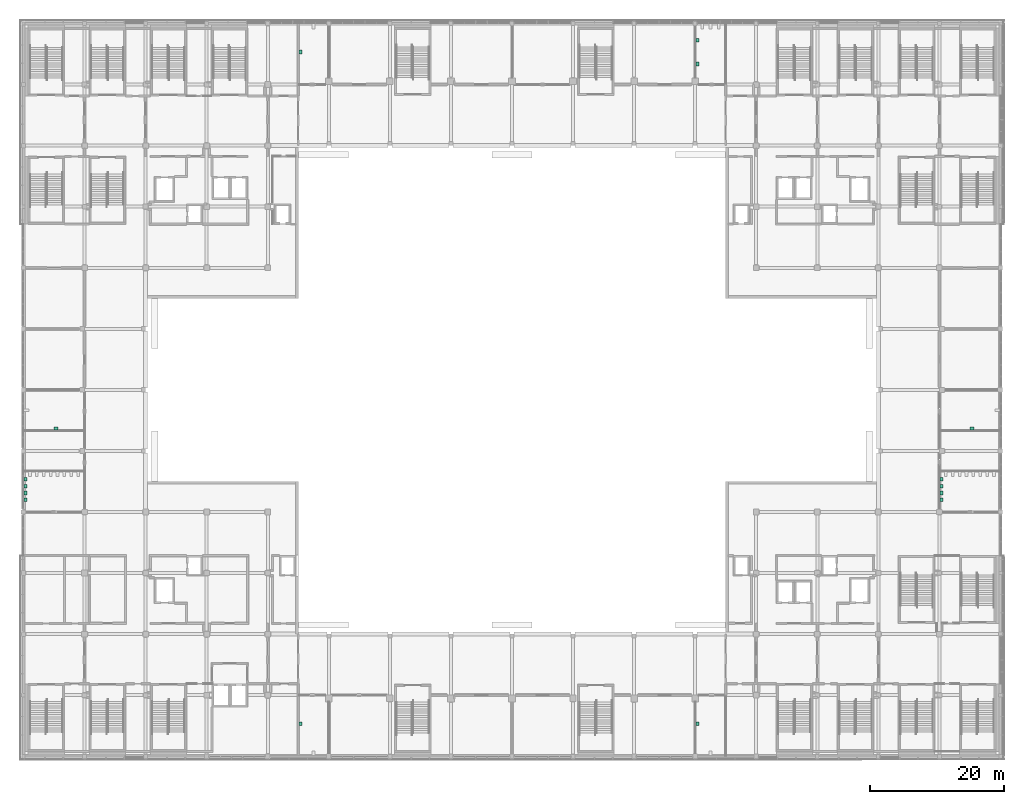
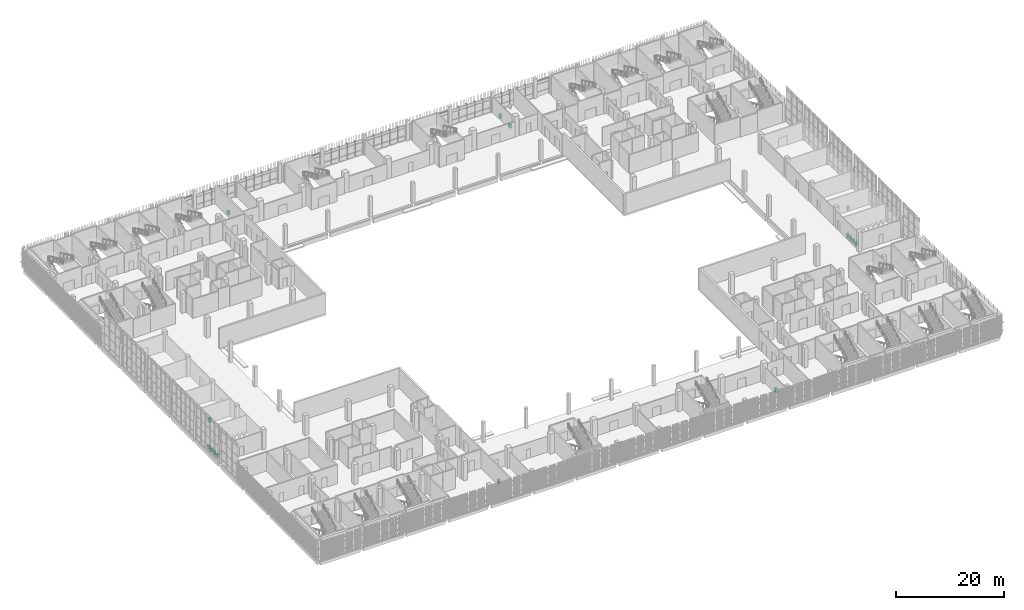
# One storey, part 125 of 126: 15 sanitary terminals.
"""IFC4 building model written with IfcOpenShell, lengths in metres."""

import ifcopenshell
import ifcopenshell.guid

model = None  # the IFC model being written
_history = None  # IfcOwnerHistory: only IFC2X3 demands one
_inside = {}  # id of a spatial element -> (the spatial element, [elements in it])
_under = {}  # id of a project, library or spatial element -> (it, [spatial elements below it])
_declared = {}  # id of a project -> (the project, [libraries it declares])
_typed = {}  # id of a type object -> (the type object, [elements of that type])
_made_of = {}  # id of a material, layer set ... -> (it, [elements and type objects made of it])


def new_model(schema):
    """Start an empty IFC model of exactly this schema.

    Asked for "IFC4X3", IfcOpenShell would pick the latest addendum, in which some entities
    have other attributes; the version numbers below select the first issue.
    IFC2X3 requires an IfcOwnerHistory on every rooted entity: one is made here for all.
    """
    global model, _history
    if schema == "IFC4X3":
        model = ifcopenshell.file(schema_version=(4, 3, 0, 0))
    else:
        model = ifcopenshell.file(schema=schema)
    _inside.clear()
    _under.clear()
    _declared.clear()
    _typed.clear()
    _made_of.clear()
    _history = None
    if model.schema == "IFC2X3":
        org = make("IfcOrganization", Name="unknown")
        user = make(
            "IfcPersonAndOrganization",
            ThePerson=make("IfcPerson", FamilyName="unknown"),
            TheOrganization=org,
        )
        app = make(
            "IfcApplication",
            ApplicationDeveloper=org,
            Version="unknown",
            ApplicationFullName="unknown",
            ApplicationIdentifier="unknown",
        )
        _history = make(
            "IfcOwnerHistory",
            OwningUser=user,
            OwningApplication=app,
            ChangeAction="ADDED",
            CreationDate=0,
        )
    return model


def make(cls, **values):
    """One entity of the class cls with the attributes given. An attribute that is None is left unset."""
    return model.create_entity(
        cls, **{name: value for name, value in values.items() if value is not None}
    )


def rooted(cls, **values):
    """An entity with a GlobalId (a new one), such as an element, a storey or a relation."""
    return make(cls, GlobalId=ifcopenshell.guid.new(), OwnerHistory=_history, **values)


def si_unit(unit_type, name, prefix=None):
    """IfcSIUnit, for example si_unit("LENGTHUNIT", "METRE", prefix="MILLI")."""
    return make("IfcSIUnit", UnitType=unit_type, Prefix=prefix, Name=name)


def assignment(units):
    """IfcUnitAssignment: the units of a project."""
    return None if units is None else make("IfcUnitAssignment", Units=units)


def point(xyz):
    """IfcCartesianPoint."""
    return None if xyz is None else make("IfcCartesianPoint", Coordinates=xyz)


def direction(xyz):
    """IfcDirection."""
    return None if xyz is None else make("IfcDirection", DirectionRatios=xyz)


def frame(location, z_axis=None, x_axis=None):
    """IfcAxis2Placement3D, a coordinate frame: its origin and axes. An axis left out is left unset."""
    return make(
        "IfcAxis2Placement3D",
        Location=point(location),
        Axis=direction(z_axis),
        RefDirection=direction(x_axis),
    )


def frame_2d(location, x_axis=None):
    """IfcAxis2Placement2D, a coordinate frame in the plane: its origin and x axis."""
    return make(
        "IfcAxis2Placement2D", Location=point(location), RefDirection=direction(x_axis)
    )


def origin():
    """The frame at (0, 0, 0) with its axes left unset."""
    return frame((0.0, 0.0, 0.0))


def origin_2d():
    """The frame at (0, 0) in the plane with its x axis left unset."""
    return frame_2d((0.0, 0.0))


def place(relative_to, where):
    """IfcLocalPlacement: puts the frame where relative to a parent placement (None: the world)."""
    return make(
        "IfcLocalPlacement", PlacementRelTo=relative_to, RelativePlacement=where
    )


def context(
    kind, dimensions, precision=None, world=None, true_north=None, identifier=None
):
    """IfcGeometricRepresentationContext, for example the 3D "Model" context."""
    return make(
        "IfcGeometricRepresentationContext",
        ContextIdentifier=identifier,
        ContextType=kind,
        CoordinateSpaceDimension=dimensions,
        Precision=precision,
        WorldCoordinateSystem=world,
        TrueNorth=true_north,
    )


def subcontext(parent, identifier, kind, view, scale=None):
    """IfcGeometricRepresentationSubContext, for example "Body" below "Model"."""
    return make(
        "IfcGeometricRepresentationSubContext",
        ContextIdentifier=identifier,
        ContextType=kind,
        ParentContext=parent,
        TargetScale=scale,
        TargetView=view,
    )


def project(units=None, contexts=None):
    """IfcProject with its units and contexts."""
    return rooted(
        "IfcProject",
        Name="project",
        RepresentationContexts=contexts,
        UnitsInContext=assignment(units),
    )


def spatial(cls, under=None, at=None, **own):
    """A site, building, storey or space (cls), placed at a placement, below another one or the project."""
    s = rooted(cls, ObjectPlacement=at, **own)
    if under is not None:
        _under.setdefault(under.id(), (under, []))[1].append(s)
    return s


def profile(cls, at=None, kind="AREA", **sizes):
    """A parametric profile (cls). Its sizes go by their IFC names, for example OverallWidth=200.0."""
    return make(cls, ProfileType=kind, Position=at, **sizes)


def rectangle(**sizes):
    """IfcRectangleProfileDef."""
    return profile("IfcRectangleProfileDef", **sizes)


def extrude(swept, where, along, depth):
    """IfcExtrudedAreaSolid: the profile swept, set in the frame where, extruded along a direction by depth."""
    return make(
        "IfcExtrudedAreaSolid",
        SweptArea=swept,
        Position=where,
        ExtrudedDirection=direction(along),
        Depth=depth,
    )


def shape(context_of_items, identifier, shape_type, items):
    """IfcShapeRepresentation: the items that make up one representation, for example the "Body"."""
    return make(
        "IfcShapeRepresentation",
        ContextOfItems=context_of_items,
        RepresentationIdentifier=identifier,
        RepresentationType=shape_type,
        Items=items,
    )


def made_of(thing, what):
    """Note that an element or type object is made of a material, layer set ...; save() writes the relation."""
    if what is not None:
        _made_of.setdefault(what.id(), (what, []))[1].append(thing)
    return thing


def element(
    cls,
    number,
    at=None,
    inside=None,
    cuts=None,
    type_object=None,
    material=None,
    context=None,
    identifier="Body",
    shape_type=None,
    held_by="IfcProductDefinitionShape",
    body=None,
    shapes=None,
    **own,
):
    """One element of the class cls, such as IfcWall. Its Tag is "e" and its number.

    at: its placement. inside: the storey or other place that contains it. cuts: it is an
    opening in that element (IfcRelVoidsElement). A single representation is given by context,
    identifier, shape_type and body (its items); several are given by shapes. held_by: the class
    of the entity that holds the representations. save() writes the other relations.
    """
    e = rooted(cls, Tag="e%d" % number, ObjectPlacement=at, **own)
    if body is not None:
        shapes = [shape(context, identifier, shape_type, body)]
    if shapes is not None:
        e.Representation = make(held_by, Representations=shapes)
    if inside is not None:
        _inside.setdefault(inside.id(), (inside, []))[1].append(e)
    if cuts is not None:
        rooted(
            "IfcRelVoidsElement", RelatingBuildingElement=cuts, RelatedOpeningElement=e
        )
    if type_object is not None:
        _typed.setdefault(type_object.id(), (type_object, []))[1].append(e)
    return made_of(e, material)


def aggregate(whole, parts):
    """IfcRelAggregates: a whole, such as a stair, and the parts it consists of."""
    return rooted("IfcRelAggregates", RelatingObject=whole, RelatedObjects=parts)


def save(model, path):
    """Write the relations noted so far, then the file.

    IfcRelAggregates (storeys below a building ...), IfcRelContainedInSpatialStructure (elements
    in a storey), IfcRelDefinesByType, IfcRelAssociatesMaterial and IfcRelDeclares: one each for
    every whole, place, type object, material and project.
    """
    for whole, parts in _under.values():
        aggregate(whole, parts)
    for where, things in _inside.values():
        rooted(
            "IfcRelContainedInSpatialStructure",
            RelatedElements=things,
            RelatingStructure=where,
        )
    for kind, things in _typed.values():
        rooted("IfcRelDefinesByType", RelatedObjects=things, RelatingType=kind)
    for what, things in _made_of.values():
        rooted("IfcRelAssociatesMaterial", RelatedObjects=things, RelatingMaterial=what)
    for by, libraries in _declared.values():
        rooted("IfcRelDeclares", RelatingContext=by, RelatedDefinitions=libraries)
    model.write(path)


model = new_model("IFC4")

# Units and contexts
model_context = context("Model", 3, precision=1e-05, world=origin(), true_north=direction((0.0, 1.0)))
body_context = subcontext(model_context, "Body", "Model", "MODEL_VIEW")
ifc_project = project(units=[si_unit("LENGTHUNIT", "METRE"), si_unit("AREAUNIT", "SQUARE_METRE"), si_unit("VOLUMEUNIT", "CUBIC_METRE"), si_unit("PLANEANGLEUNIT", "RADIAN"), si_unit("MASSUNIT", "GRAM", prefix="KILO")], contexts=[model_context])

# Site, building, storey
site_placement = place(None, origin())
site = spatial("IfcSite", under=ifc_project, at=site_placement, CompositionType="ELEMENT")
building_placement = place(site_placement, origin())
building = spatial("IfcBuilding", under=site, at=building_placement, Name="Shirokan Park Arena", CompositionType="ELEMENT")
storey_placement = place(building_placement, frame((0.0, 0.0, 6.3701171875)))
storey = spatial("IfcBuildingStorey", under=building, at=storey_placement, Name="L01", CompositionType="ELEMENT", Elevation=6.3701171875)

# Sanitary terminals
for number, where, z_axis, x_axis, name in (
    (1, (41.27490234375, 104.949951171875, -0.000244140625), (0.0, 0.0, 1.0), (1.0, 0.0, 0.0), "Washbasin Accessible WC 1.31"),
    (2, (100.425048828125, 103.175048828125, -0.000244140625), (0.0, 0.0, 1.0), (1.0, 0.0, 0.0), "Washbasin Men's WC 1.36"),
    (3, (100.425048828125, 106.72509765625, -0.000244140625), (0.0, 0.0, 1.0), (1.0, 0.0, 0.0), "Washbasin Men's WC 1.36"),
    (4, (41.27490234375, 4.85009765625, -0.000244140625), (0.0, 0.0, 1.0), (1.0, 0.0, 0.0), "Washbasin Accessible WC 1.11"),
    (5, (100.425048828125, 4.85009765625, -0.000244140625), (0.0, 0.0, 1.0), (1.0, 0.0, 0.0), "Washbasin Accessible WC 1.16"),
    (6, (136.824951171875, 38.208251953125, -0.000244140625), (0.0, 0.0, 1.0), (1.0, 0.0, 0.0), "Washbasin Men's WC 1.21"),
    (7, (136.824951171875, 39.22509765625, -0.000244140625), (0.0, 0.0, 1.0), (1.0, 0.0, 0.0), "Washbasin Men's WC 1.21"),
    (8, (136.824951171875, 40.24169921875, -0.000244140625), (0.0, 0.0, 1.0), (1.0, 0.0, 0.0), "Washbasin Men's WC 1.21"),
    (9, (136.824951171875, 41.25830078125, -0.000244140625), (0.0, 0.0, 1.0), (1.0, 0.0, 0.0), "Washbasin Men's WC 1.21"),
):
    element("IfcSanitaryTerminal", number, at=place(storey_placement, frame(where, z_axis=z_axis, x_axis=x_axis)), inside=storey, Name=name, PredefinedType="WASHHANDBASIN", context=body_context, shape_type="SweptSolid", body=[
        extrude(rectangle(XDim=0.449951171875, YDim=0.550048828125, at=origin_2d()), origin(), (0.0, 0.0, 1.0), 0.85009765625),
    ])
sanitary_terminal_1_placement = place(storey_placement, frame((141.35009765625, 48.8583984375, -0.000244140625), z_axis=(0.0, 0.0, 1.0), x_axis=(1.0, 0.0, 0.0)))
element("IfcSanitaryTerminal", 10, at=sanitary_terminal_1_placement, inside=storey, Name="Washbasin Accessible WC 1.23", PredefinedType="WASHHANDBASIN", context=body_context, shape_type="SweptSolid", body=[
    extrude(rectangle(XDim=0.550048828125, YDim=0.449951171875, at=origin_2d()), origin(), (0.0, 0.0, 1.0), 0.85009765625),
])
for number, where, z_axis, x_axis, name in (
    (11, (0.324951171875, 38.208251953125, -0.000244140625), (0.0, 0.0, 1.0), (1.0, 0.0, 0.0), "Washbasin Men's WC 1.11"),
    (12, (0.324951171875, 39.22509765625, -0.000244140625), (0.0, 0.0, 1.0), (1.0, 0.0, 0.0), "Washbasin Men's WC 1.11"),
    (13, (0.324951171875, 40.24169921875, -0.000244140625), (0.0, 0.0, 1.0), (1.0, 0.0, 0.0), "Washbasin Men's WC 1.11"),
    (14, (0.324951171875, 41.25830078125, -0.000244140625), (0.0, 0.0, 1.0), (1.0, 0.0, 0.0), "Washbasin Men's WC 1.11"),
):
    element("IfcSanitaryTerminal", number, at=place(storey_placement, frame(where, z_axis=z_axis, x_axis=x_axis)), inside=storey, Name=name, PredefinedType="WASHHANDBASIN", context=body_context, shape_type="SweptSolid", body=[
        extrude(rectangle(XDim=0.449951171875, YDim=0.550048828125, at=origin_2d()), origin(), (0.0, 0.0, 1.0), 0.85009765625),
    ])
sanitary_terminal_2_placement = place(storey_placement, frame((4.85009765625, 48.8583984375, -0.000244140625), z_axis=(0.0, 0.0, 1.0), x_axis=(1.0, 0.0, 0.0)))
element("IfcSanitaryTerminal", 15, at=sanitary_terminal_2_placement, inside=storey, Name="Washbasin Accessible WC 1.13", PredefinedType="WASHHANDBASIN", context=body_context, shape_type="SweptSolid", body=[
    extrude(rectangle(XDim=0.550048828125, YDim=0.449951171875, at=origin_2d()), origin(), (0.0, 0.0, 1.0), 0.85009765625),
])

save(model, "model.ifc")
